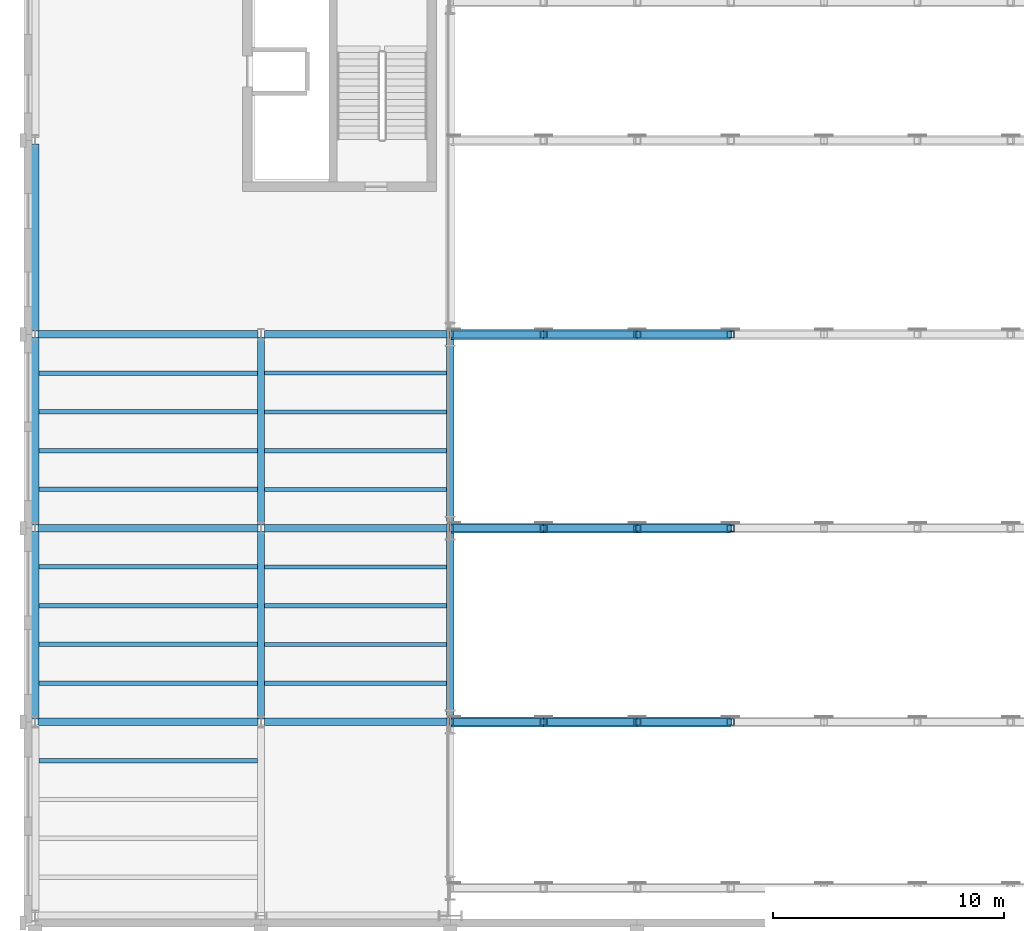
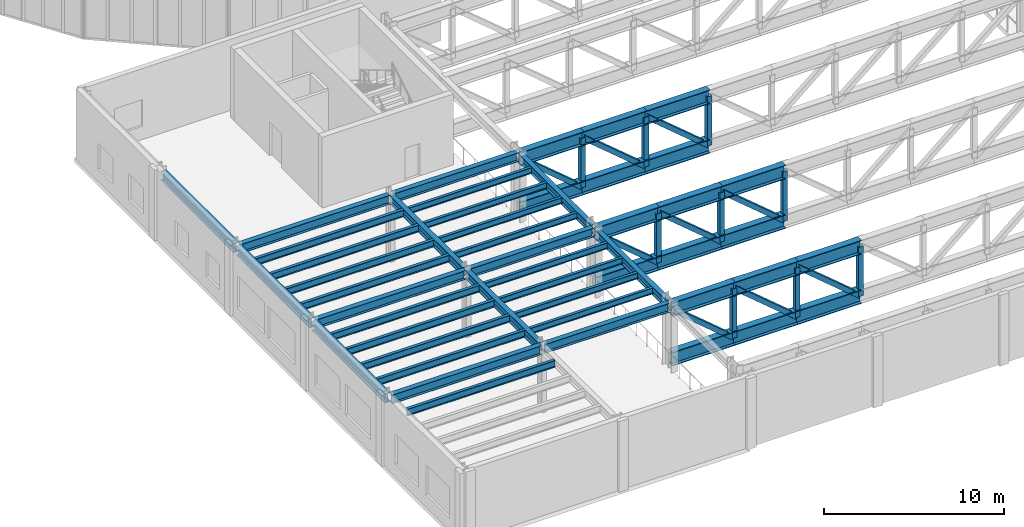
# One storey, part 19 of 91: 48 beams, 18 members.
"""IFC4 building model written with IfcOpenShell, lengths in metres."""

from ifc_helpers import new_model, si_unit, direction, frame, origin, origin_2d, place, context, subcontext, project, spatial, hollow_rectangle, i_section, extrude, material, material_profile, profile_set, type_object, element, save


model = new_model("IFC4")

# Units and contexts
model_context = context("Model", 3, precision=1e-05, world=origin(), true_north=direction((0.0, 1.0)))
body_context = subcontext(model_context, "Body", "Model", "MODEL_VIEW")
ifc_project = project(units=[si_unit("LENGTHUNIT", "METRE"), si_unit("AREAUNIT", "SQUARE_METRE"), si_unit("VOLUMEUNIT", "CUBIC_METRE"), si_unit("PLANEANGLEUNIT", "RADIAN"), si_unit("MASSUNIT", "GRAM", prefix="KILO")], contexts=[model_context])

# Site, building, storey
site_placement = place(None, origin())
site = spatial("IfcSite", under=ifc_project, at=site_placement, CompositionType="ELEMENT")
building_placement = place(site_placement, origin())
building = spatial("IfcBuilding", under=site, at=building_placement, Name="Sollismere Congress Hotel", CompositionType="ELEMENT")
storey_placement = place(building_placement, frame((0.0, 0.0, 10.800048828125)))
storey = spatial("IfcBuildingStorey", under=building, at=storey_placement, Name="L02", CompositionType="ELEMENT", Elevation=10.800048828125)

# Beams
ifc_material_1 = material(Name="Steel ASTM A992 Grade 50", Category="steel")
ifc_material_profile_1 = material_profile(ifc_material_1, i_section(OverallWidth=0.31494140625, OverallDepth=0.551025390625, WebThickness=0.01513671875, FlangeThickness=0.0244140625, at=origin_2d()), Name="W21X122")
ifc_profile_set_1 = profile_set([ifc_material_profile_1], Name="Steel ASTM A992 Grade 50")
beam_type_1 = type_object("IfcBeamType", Name="BM-G21H", PredefinedType="BEAM", material=ifc_profile_set_1)
beam_1_placement = place(storey_placement, frame((9.800048828125, 33.340087890625, 4.224365234375), z_axis=(0.0, 1.0, 0.0), x_axis=(-1.0, 0.0, 0.0)))
element("IfcBeam", 1, at=beam_1_placement, inside=storey, type_object=beam_type_1, Name="Beam BM-L02-2061", PredefinedType="BEAM", context=body_context, shape_type="SweptSolid", body=[
    extrude(i_section(OverallWidth=0.31494140625, OverallDepth=0.551025390625, WebThickness=0.01513671875, FlangeThickness=0.0244140625, at=origin_2d()), origin(), (0.0, 0.0, 1.0), 8.119873046875),
])
beam_2_placement = place(storey_placement, frame((9.800048828125, 41.739990234375, 4.224365234375), z_axis=(0.0, 1.0, 0.0), x_axis=(-1.0, 0.0, 0.0)))
element("IfcBeam", 2, at=beam_2_placement, inside=storey, type_object=beam_type_1, Name="Beam BM-L02-2062", PredefinedType="BEAM", context=body_context, shape_type="SweptSolid", body=[
    extrude(i_section(OverallWidth=0.31494140625, OverallDepth=0.551025390625, WebThickness=0.01513671875, FlangeThickness=0.0244140625, at=origin_2d()), origin(), (0.0, 0.0, 1.0), 8.1201171875),
])
beam_3_placement = place(storey_placement, frame((18.0, 33.340087890625, 4.224365234375), z_axis=(0.0, 1.0, 0.0), x_axis=(-1.0, 0.0, 0.0)))
element("IfcBeam", 3, at=beam_3_placement, inside=storey, type_object=beam_type_1, Name="Beam BM-L02-2064", PredefinedType="BEAM", context=body_context, shape_type="SweptSolid", body=[
    extrude(i_section(OverallWidth=0.31494140625, OverallDepth=0.551025390625, WebThickness=0.01513671875, FlangeThickness=0.0244140625, at=origin_2d()), origin(), (0.0, 0.0, 1.0), 8.119873046875),
])
beam_4_placement = place(storey_placement, frame((18.0, 41.739990234375, 4.224365234375), z_axis=(0.0, 1.0, 0.0), x_axis=(-1.0, 0.0, 0.0)))
element("IfcBeam", 4, at=beam_4_placement, inside=storey, type_object=beam_type_1, Name="Beam BM-L02-2065", PredefinedType="BEAM", context=body_context, shape_type="SweptSolid", body=[
    extrude(i_section(OverallWidth=0.31494140625, OverallDepth=0.551025390625, WebThickness=0.01513671875, FlangeThickness=0.0244140625, at=origin_2d()), origin(), (0.0, 0.0, 1.0), 8.1201171875),
])
ifc_material_profile_2 = material_profile(ifc_material_1, i_section(OverallWidth=0.324951171875, OverallDepth=0.612060546875, WebThickness=0.0126953125, FlangeThickness=0.01904296875, at=origin_2d()), Name="W24X104")
ifc_profile_set_2 = profile_set([ifc_material_profile_2], Name="Steel ASTM A992 Grade 50")
beam_type_2 = type_object("IfcBeamType", Name="BM-G24", PredefinedType="BEAM", material=ifc_profile_set_2)
beam_5_placement = place(storey_placement, frame((0.139892578125, 33.199951171875, 4.19384765625), z_axis=(1.0, 0.0, 0.0), x_axis=(0.0, 1.0, 0.0)))
element("IfcBeam", 5, at=beam_5_placement, inside=storey, type_object=beam_type_2, Name="Beam BM-L02-2009", PredefinedType="BEAM", context=body_context, shape_type="SweptSolid", body=[
    extrude(i_section(OverallWidth=0.324951171875, OverallDepth=0.612060546875, WebThickness=0.0126953125, FlangeThickness=0.01904296875, at=origin_2d()), origin(), (0.0, 0.0, 1.0), 9.52001953125),
])
beam_6_placement = place(storey_placement, frame((9.93994140625, 33.199951171875, 4.19384765625), z_axis=(1.0, 0.0, 0.0), x_axis=(0.0, 1.0, 0.0)))
element("IfcBeam", 6, at=beam_6_placement, inside=storey, type_object=beam_type_2, Name="Beam BM-L02-2010", PredefinedType="BEAM", context=body_context, shape_type="SweptSolid", body=[
    extrude(i_section(OverallWidth=0.324951171875, OverallDepth=0.612060546875, WebThickness=0.0126953125, FlangeThickness=0.01904296875, at=origin_2d()), origin(), (0.0, 0.0, 1.0), 7.920166015625),
])
beam_7_placement = place(storey_placement, frame((0.139892578125, 41.60009765625, 4.19384765625), z_axis=(1.0, 0.0, 0.0), x_axis=(0.0, 1.0, 0.0)))
element("IfcBeam", 7, at=beam_7_placement, inside=storey, type_object=beam_type_2, Name="Beam BM-L02-2014", PredefinedType="BEAM", context=body_context, shape_type="SweptSolid", body=[
    extrude(i_section(OverallWidth=0.324951171875, OverallDepth=0.612060546875, WebThickness=0.0126953125, FlangeThickness=0.01904296875, at=origin_2d()), origin(), (0.0, 0.0, 1.0), 9.52001953125),
])
beam_8_placement = place(storey_placement, frame((9.93994140625, 41.60009765625, 4.19384765625), z_axis=(1.0, 0.0, 0.0), x_axis=(0.0, 1.0, 0.0)))
element("IfcBeam", 8, at=beam_8_placement, inside=storey, type_object=beam_type_2, Name="Beam BM-L02-2015", PredefinedType="BEAM", context=body_context, shape_type="SweptSolid", body=[
    extrude(i_section(OverallWidth=0.324951171875, OverallDepth=0.612060546875, WebThickness=0.0126953125, FlangeThickness=0.01904296875, at=origin_2d()), origin(), (0.0, 0.0, 1.0), 7.920166015625),
])
beam_9_placement = place(storey_placement, frame((0.139892578125, 50.0, 4.19384765625), z_axis=(1.0, 0.0, 0.0), x_axis=(0.0, 1.0, 0.0)))
element("IfcBeam", 9, at=beam_9_placement, inside=storey, type_object=beam_type_2, Name="Beam BM-L02-2017", PredefinedType="BEAM", context=body_context, shape_type="SweptSolid", body=[
    extrude(i_section(OverallWidth=0.324951171875, OverallDepth=0.612060546875, WebThickness=0.0126953125, FlangeThickness=0.01904296875, at=origin_2d()), origin(), (0.0, 0.0, 1.0), 9.52001953125),
])
beam_10_placement = place(storey_placement, frame((9.93994140625, 50.0, 4.19384765625), z_axis=(1.0, 0.0, 0.0), x_axis=(0.0, 1.0, 0.0)))
element("IfcBeam", 10, at=beam_10_placement, inside=storey, type_object=beam_type_2, Name="Beam BM-L02-2018", PredefinedType="BEAM", context=body_context, shape_type="SweptSolid", body=[
    extrude(i_section(OverallWidth=0.324951171875, OverallDepth=0.612060546875, WebThickness=0.0126953125, FlangeThickness=0.01904296875, at=origin_2d()), origin(), (0.0, 0.0, 1.0), 7.920166015625),
])
ifc_material_profile_3 = material_profile(ifc_material_1, i_section(OverallWidth=0.180908203125, OverallDepth=0.4169921875, WebThickness=0.010986328125, FlangeThickness=0.018310546875, at=origin_2d()), Name="W16X57")
ifc_profile_set_3 = profile_set([ifc_material_profile_3], Name="Steel ASTM A992 Grade 50")
beam_type_3 = type_object("IfcBeamType", Name="BM-J16", PredefinedType="JOIST", material=ifc_profile_set_3)
for number, where, z_axis, x_axis, name in (
    (11, (9.95751953125, 34.8798828125, 4.29150390625), (1.0, 0.0, 0.0), (0.0, 1.0, 0.0), "Beam BM-L02-2150"),
    (12, (9.95751953125, 36.56005859375, 4.29150390625), (1.0, 0.0, 0.0), (0.0, 1.0, 0.0), "Beam BM-L02-2151"),
    (13, (9.95751953125, 38.239990234375, 4.29150390625), (1.0, 0.0, 0.0), (0.0, 1.0, 0.0), "Beam BM-L02-2152"),
    (14, (9.95751953125, 39.919921875, 4.29150390625), (1.0, 0.0, 0.0), (0.0, 1.0, 0.0), "Beam BM-L02-2153"),
    (15, (9.95751953125, 43.280029296875, 4.29150390625), (1.0, 0.0, 0.0), (0.0, 1.0, 0.0), "Beam BM-L02-2154"),
    (16, (9.95751953125, 44.9599609375, 4.29150390625), (1.0, 0.0, 0.0), (0.0, 1.0, 0.0), "Beam BM-L02-2155"),
    (17, (9.95751953125, 46.639892578125, 4.29150390625), (1.0, 0.0, 0.0), (0.0, 1.0, 0.0), "Beam BM-L02-2156"),
    (18, (9.95751953125, 48.320068359375, 4.29150390625), (1.0, 0.0, 0.0), (0.0, 1.0, 0.0), "Beam BM-L02-2157"),
):
    element("IfcBeam", number, at=place(storey_placement, frame(where, z_axis=z_axis, x_axis=x_axis)), inside=storey, type_object=beam_type_3, Name=name, PredefinedType="JOIST", context=body_context, shape_type="SweptSolid", body=[
        extrude(i_section(OverallWidth=0.180908203125, OverallDepth=0.4169921875, WebThickness=0.010986328125, FlangeThickness=0.018310546875, at=origin_2d()), origin(), (0.0, 0.0, 1.0), 7.885009765625),
    ])
ifc_material_profile_4 = material_profile(ifc_material_1, i_section(OverallWidth=0.193115234375, OverallDepth=0.467041015625, WebThickness=0.011474609375, FlangeThickness=0.01904296875, at=origin_2d()), Name="W18X65")
ifc_profile_set_4 = profile_set([ifc_material_profile_4], Name="Steel ASTM A992 Grade 50")
beam_type_4 = type_object("IfcBeamType", Name="BM-J18", PredefinedType="JOIST", material=ifc_profile_set_4)
for number, where, z_axis, x_axis, name in (
    (19, (0.1650390625, 31.52001953125, 4.266357421875), (1.0, 0.0, 0.0), (0.0, 1.0, 0.0), "Beam BM-L02-2141"),
    (20, (0.1650390625, 34.8798828125, 4.266357421875), (1.0, 0.0, 0.0), (0.0, 1.0, 0.0), "Beam BM-L02-2142"),
    (21, (0.1650390625, 36.56005859375, 4.266357421875), (1.0, 0.0, 0.0), (0.0, 1.0, 0.0), "Beam BM-L02-2143"),
    (22, (0.1650390625, 38.239990234375, 4.266357421875), (1.0, 0.0, 0.0), (0.0, 1.0, 0.0), "Beam BM-L02-2144"),
    (23, (0.1650390625, 39.919921875, 4.266357421875), (1.0, 0.0, 0.0), (0.0, 1.0, 0.0), "Beam BM-L02-2145"),
    (24, (0.1650390625, 43.280029296875, 4.266357421875), (1.0, 0.0, 0.0), (0.0, 1.0, 0.0), "Beam BM-L02-2146"),
    (25, (0.1650390625, 44.9599609375, 4.266357421875), (1.0, 0.0, 0.0), (0.0, 1.0, 0.0), "Beam BM-L02-2147"),
    (26, (0.1650390625, 46.639892578125, 4.266357421875), (1.0, 0.0, 0.0), (0.0, 1.0, 0.0), "Beam BM-L02-2148"),
    (27, (0.1650390625, 48.320068359375, 4.266357421875), (1.0, 0.0, 0.0), (0.0, 1.0, 0.0), "Beam BM-L02-2149"),
):
    element("IfcBeam", number, at=place(storey_placement, frame(where, z_axis=z_axis, x_axis=x_axis)), inside=storey, type_object=beam_type_4, Name=name, PredefinedType="JOIST", context=body_context, shape_type="SweptSolid", body=[
        extrude(i_section(OverallWidth=0.193115234375, OverallDepth=0.467041015625, WebThickness=0.011474609375, FlangeThickness=0.01904296875, at=origin_2d()), origin(), (0.0, 0.0, 1.0), 9.4775390625),
    ])
ifc_material_profile_5 = material_profile(ifc_material_1, i_section(OverallWidth=0.330078125, OverallDepth=0.635009765625, WebThickness=0.017822265625, FlangeThickness=0.031005859375, at=origin_2d()), Name="W24X162")
ifc_profile_set_5 = profile_set([ifc_material_profile_5], Name="Steel ASTM A992 Grade 50")
beam_type_5 = type_object("IfcBeamType", Name="BM-SP24E", PredefinedType="SPANDREL", material=ifc_profile_set_5)
beam_11_placement = place(storey_placement, frame((0.0, 33.340087890625, 4.182373046875), z_axis=(0.0, 1.0, 0.0), x_axis=(-1.0, 0.0, 0.0)))
element("IfcBeam", 28, at=beam_11_placement, inside=storey, type_object=beam_type_5, Name="Beam BM-L02-2056", PredefinedType="SPANDREL", context=body_context, shape_type="SweptSolid", body=[
    extrude(i_section(OverallWidth=0.330078125, OverallDepth=0.635009765625, WebThickness=0.017822265625, FlangeThickness=0.031005859375, at=origin_2d()), origin(), (0.0, 0.0, 1.0), 8.119873046875),
])
for number, where, z_axis, x_axis, name in (
    (29, (0.0, 41.739990234375, 4.182373046875), (0.0, 1.0, 0.0), (-1.0, 0.0, 0.0), "Beam BM-L02-2057"),
    (30, (0.0, 50.139892578125, 4.182373046875), (0.0, 1.0, 0.0), (-1.0, 0.0, 0.0), "Beam BM-L02-2058"),
):
    element("IfcBeam", number, at=place(storey_placement, frame(where, z_axis=z_axis, x_axis=x_axis)), inside=storey, type_object=beam_type_5, Name=name, PredefinedType="SPANDREL", context=body_context, shape_type="SweptSolid", body=[
        extrude(i_section(OverallWidth=0.330078125, OverallDepth=0.635009765625, WebThickness=0.017822265625, FlangeThickness=0.031005859375, at=origin_2d()), origin(), (0.0, 0.0, 1.0), 8.1201171875),
    ])
ifc_material_profile_6 = material_profile(ifc_material_1, i_section(OverallWidth=0.424072265625, OverallDepth=0.93994140625, WebThickness=0.02392578125, FlangeThickness=0.042724609375, at=origin_2d()), Name="W36X302")
ifc_profile_set_6 = profile_set([ifc_material_profile_6], Name="Steel ASTM A992 Grade 50")
beam_type_6 = type_object("IfcBeamType", Name="BM-TC36", PredefinedType="BEAM", material=ifc_profile_set_6)
for number, where, z_axis, x_axis, name in (
    (31, (18.0400390625, 33.199951171875, 4.030029296875), (1.0, 0.0, 0.0), (0.0, 1.0, 0.0), "Transfer truss chord BM-L02-4064"),
    (32, (18.0400390625, 33.199951171875, 0.679931640625), (1.0, 0.0, 0.0), (0.0, 1.0, 0.0), "Transfer truss chord BM-L02-4065"),
):
    element("IfcBeam", number, at=place(storey_placement, frame(where, z_axis=z_axis, x_axis=x_axis)), inside=storey, type_object=beam_type_6, Name=name, PredefinedType="BEAM", context=body_context, shape_type="SweptSolid", body=[
        extrude(i_section(OverallWidth=0.424072265625, OverallDepth=0.93994140625, WebThickness=0.02392578125, FlangeThickness=0.042724609375, at=origin_2d()), origin(), (0.0, 0.0, 1.0), 4.010009765625),
    ])
for number, where, z_axis, x_axis, name in (
    (33, (22.050048828125, 33.199951171875, 4.030029296875), (1.0, 0.0, 0.0), (0.0, 1.0, 0.0), "Transfer truss chord BM-L02-4066"),
    (34, (22.050048828125, 33.199951171875, 0.679931640625), (1.0, 0.0, 0.0), (0.0, 1.0, 0.0), "Transfer truss chord BM-L02-4067"),
):
    element("IfcBeam", number, at=place(storey_placement, frame(where, z_axis=z_axis, x_axis=x_axis)), inside=storey, type_object=beam_type_6, Name=name, PredefinedType="BEAM", context=body_context, shape_type="SweptSolid", body=[
        extrude(i_section(OverallWidth=0.424072265625, OverallDepth=0.93994140625, WebThickness=0.02392578125, FlangeThickness=0.042724609375, at=origin_2d()), origin(), (0.0, 0.0, 1.0), 4.050048828125),
    ])
for number, where, z_axis, x_axis, name in (
    (35, (26.10009765625, 33.199951171875, 4.030029296875), (1.0, 0.0, 0.0), (0.0, 1.0, 0.0), "Transfer truss chord BM-L02-4068"),
    (36, (26.10009765625, 33.199951171875, 0.679931640625), (1.0, 0.0, 0.0), (0.0, 1.0, 0.0), "Transfer truss chord BM-L02-4069"),
):
    element("IfcBeam", number, at=place(storey_placement, frame(where, z_axis=z_axis, x_axis=x_axis)), inside=storey, type_object=beam_type_6, Name=name, PredefinedType="BEAM", context=body_context, shape_type="SweptSolid", body=[
        extrude(i_section(OverallWidth=0.424072265625, OverallDepth=0.93994140625, WebThickness=0.02392578125, FlangeThickness=0.042724609375, at=origin_2d()), origin(), (0.0, 0.0, 1.0), 4.0498046875),
    ])
for number, where, z_axis, x_axis, name in (
    (37, (18.0400390625, 41.60009765625, 4.030029296875), (1.0, 0.0, 0.0), (0.0, 1.0, 0.0), "Transfer truss chord BM-L02-4080"),
    (38, (18.0400390625, 41.60009765625, 0.679931640625), (1.0, 0.0, 0.0), (0.0, 1.0, 0.0), "Transfer truss chord BM-L02-4081"),
):
    element("IfcBeam", number, at=place(storey_placement, frame(where, z_axis=z_axis, x_axis=x_axis)), inside=storey, type_object=beam_type_6, Name=name, PredefinedType="BEAM", context=body_context, shape_type="SweptSolid", body=[
        extrude(i_section(OverallWidth=0.424072265625, OverallDepth=0.93994140625, WebThickness=0.02392578125, FlangeThickness=0.042724609375, at=origin_2d()), origin(), (0.0, 0.0, 1.0), 4.010009765625),
    ])
for number, where, z_axis, x_axis, name in (
    (39, (22.050048828125, 41.60009765625, 4.030029296875), (1.0, 0.0, 0.0), (0.0, 1.0, 0.0), "Transfer truss chord BM-L02-4082"),
    (40, (22.050048828125, 41.60009765625, 0.679931640625), (1.0, 0.0, 0.0), (0.0, 1.0, 0.0), "Transfer truss chord BM-L02-4083"),
):
    element("IfcBeam", number, at=place(storey_placement, frame(where, z_axis=z_axis, x_axis=x_axis)), inside=storey, type_object=beam_type_6, Name=name, PredefinedType="BEAM", context=body_context, shape_type="SweptSolid", body=[
        extrude(i_section(OverallWidth=0.424072265625, OverallDepth=0.93994140625, WebThickness=0.02392578125, FlangeThickness=0.042724609375, at=origin_2d()), origin(), (0.0, 0.0, 1.0), 4.050048828125),
    ])
for number, where, z_axis, x_axis, name in (
    (41, (26.10009765625, 41.60009765625, 4.030029296875), (1.0, 0.0, 0.0), (0.0, 1.0, 0.0), "Transfer truss chord BM-L02-4084"),
    (42, (26.10009765625, 41.60009765625, 0.679931640625), (1.0, 0.0, 0.0), (0.0, 1.0, 0.0), "Transfer truss chord BM-L02-4085"),
):
    element("IfcBeam", number, at=place(storey_placement, frame(where, z_axis=z_axis, x_axis=x_axis)), inside=storey, type_object=beam_type_6, Name=name, PredefinedType="BEAM", context=body_context, shape_type="SweptSolid", body=[
        extrude(i_section(OverallWidth=0.424072265625, OverallDepth=0.93994140625, WebThickness=0.02392578125, FlangeThickness=0.042724609375, at=origin_2d()), origin(), (0.0, 0.0, 1.0), 4.0498046875),
    ])
for number, where, z_axis, x_axis, name in (
    (43, (18.0400390625, 50.0, 4.030029296875), (1.0, 0.0, 0.0), (0.0, 1.0, 0.0), "Transfer truss chord BM-L02-4096"),
    (44, (18.0400390625, 50.0, 0.679931640625), (1.0, 0.0, 0.0), (0.0, 1.0, 0.0), "Transfer truss chord BM-L02-4097"),
):
    element("IfcBeam", number, at=place(storey_placement, frame(where, z_axis=z_axis, x_axis=x_axis)), inside=storey, type_object=beam_type_6, Name=name, PredefinedType="BEAM", context=body_context, shape_type="SweptSolid", body=[
        extrude(i_section(OverallWidth=0.424072265625, OverallDepth=0.93994140625, WebThickness=0.02392578125, FlangeThickness=0.042724609375, at=origin_2d()), origin(), (0.0, 0.0, 1.0), 4.010009765625),
    ])
for number, where, z_axis, x_axis, name in (
    (45, (22.050048828125, 50.0, 4.030029296875), (1.0, 0.0, 0.0), (0.0, 1.0, 0.0), "Transfer truss chord BM-L02-4098"),
    (46, (22.050048828125, 50.0, 0.679931640625), (1.0, 0.0, 0.0), (0.0, 1.0, 0.0), "Transfer truss chord BM-L02-4099"),
):
    element("IfcBeam", number, at=place(storey_placement, frame(where, z_axis=z_axis, x_axis=x_axis)), inside=storey, type_object=beam_type_6, Name=name, PredefinedType="BEAM", context=body_context, shape_type="SweptSolid", body=[
        extrude(i_section(OverallWidth=0.424072265625, OverallDepth=0.93994140625, WebThickness=0.02392578125, FlangeThickness=0.042724609375, at=origin_2d()), origin(), (0.0, 0.0, 1.0), 4.050048828125),
    ])
for number, where, z_axis, x_axis, name in (
    (47, (26.10009765625, 50.0, 4.030029296875), (1.0, 0.0, 0.0), (0.0, 1.0, 0.0), "Transfer truss chord BM-L02-4100"),
    (48, (26.10009765625, 50.0, 0.679931640625), (1.0, 0.0, 0.0), (0.0, 1.0, 0.0), "Transfer truss chord BM-L02-4101"),
):
    element("IfcBeam", number, at=place(storey_placement, frame(where, z_axis=z_axis, x_axis=x_axis)), inside=storey, type_object=beam_type_6, Name=name, PredefinedType="BEAM", context=body_context, shape_type="SweptSolid", body=[
        extrude(i_section(OverallWidth=0.424072265625, OverallDepth=0.93994140625, WebThickness=0.02392578125, FlangeThickness=0.042724609375, at=origin_2d()), origin(), (0.0, 0.0, 1.0), 4.0498046875),
    ])

# Members
ifc_material_2 = material(Name="Steel ASTM A500 Grade C", Category="steel")
ifc_material_profile_7 = material_profile(ifc_material_2, hollow_rectangle(XDim=0.300048828125, YDim=0.300048828125, WallThickness=0.011962890625, at=origin_2d()), Name="HSS300X300X12")
ifc_profile_set_7 = profile_set([ifc_material_profile_7], Name="Steel ASTM A500 Grade C")
member_type_1 = type_object("IfcMemberType", Name="MB-BR300", PredefinedType="BRACE", material=ifc_profile_set_7)
member_1_placement = place(storey_placement, frame((18.0400390625, 33.199951171875, 4.030029296875), z_axis=(0.765049916178, 0.0, -0.643970982076), x_axis=(0.0, 1.0, 0.0)))
element("IfcMember", 49, at=member_1_placement, inside=storey, type_object=member_type_1, Name="MBT-21 diagonal brace", PredefinedType="BRACE", context=body_context, shape_type="SweptSolid", body=[
    extrude(hollow_rectangle(XDim=0.300048828125, YDim=0.300048828125, WallThickness=0.011962890625, at=origin_2d()), origin(), (0.0, 0.0, 1.0), 5.2021484375),
])
member_2_placement = place(storey_placement, frame((22.080078125, 33.199951171875, 4.030029296875), z_axis=(0.765846088126, 0.0, -0.643023925917), x_axis=(0.0, 1.0, 0.0)))
element("IfcMember", 50, at=member_2_placement, inside=storey, type_object=member_type_1, Name="MBT-22 diagonal brace", PredefinedType="BRACE", context=body_context, shape_type="SweptSolid", body=[
    extrude(hollow_rectangle(XDim=0.300048828125, YDim=0.300048828125, WallThickness=0.011962890625, at=origin_2d()), origin(), (0.0, 0.0, 1.0), 5.2099609375),
])
member_3_placement = place(storey_placement, frame((26.1298828125, 33.199951171875, 4.030029296875), z_axis=(0.765865463077, 0.0, -0.643000849507), x_axis=(0.0, 1.0, 0.0)))
element("IfcMember", 51, at=member_3_placement, inside=storey, type_object=member_type_1, Name="MBT-23 diagonal brace", PredefinedType="BRACE", context=body_context, shape_type="SweptSolid", body=[
    extrude(hollow_rectangle(XDim=0.300048828125, YDim=0.300048828125, WallThickness=0.011962890625, at=origin_2d()), origin(), (0.0, 0.0, 1.0), 5.210205078125),
])
member_4_placement = place(storey_placement, frame((18.0400390625, 41.60009765625, 4.030029296875), z_axis=(0.765049916178, 0.0, -0.643970982076), x_axis=(0.0, 1.0, 0.0)))
element("IfcMember", 52, at=member_4_placement, inside=storey, type_object=member_type_1, Name="MBT-31 diagonal brace", PredefinedType="BRACE", context=body_context, shape_type="SweptSolid", body=[
    extrude(hollow_rectangle(XDim=0.300048828125, YDim=0.300048828125, WallThickness=0.011962890625, at=origin_2d()), origin(), (0.0, 0.0, 1.0), 5.2021484375),
])
member_5_placement = place(storey_placement, frame((22.080078125, 41.60009765625, 4.030029296875), z_axis=(0.765846088126, 0.0, -0.643023925917), x_axis=(0.0, 1.0, 0.0)))
element("IfcMember", 53, at=member_5_placement, inside=storey, type_object=member_type_1, Name="MBT-32 diagonal brace", PredefinedType="BRACE", context=body_context, shape_type="SweptSolid", body=[
    extrude(hollow_rectangle(XDim=0.300048828125, YDim=0.300048828125, WallThickness=0.011962890625, at=origin_2d()), origin(), (0.0, 0.0, 1.0), 5.2099609375),
])
member_6_placement = place(storey_placement, frame((26.1298828125, 41.60009765625, 4.030029296875), z_axis=(0.765865463077, 0.0, -0.643000849507), x_axis=(0.0, 1.0, 0.0)))
element("IfcMember", 54, at=member_6_placement, inside=storey, type_object=member_type_1, Name="MBT-33 diagonal brace", PredefinedType="BRACE", context=body_context, shape_type="SweptSolid", body=[
    extrude(hollow_rectangle(XDim=0.300048828125, YDim=0.300048828125, WallThickness=0.011962890625, at=origin_2d()), origin(), (0.0, 0.0, 1.0), 5.210205078125),
])
member_7_placement = place(storey_placement, frame((18.0400390625, 50.0, 4.030029296875), z_axis=(0.765049916178, 0.0, -0.643970982076), x_axis=(0.0, 1.0, 0.0)))
element("IfcMember", 55, at=member_7_placement, inside=storey, type_object=member_type_1, Name="MBT-41 diagonal brace", PredefinedType="BRACE", context=body_context, shape_type="SweptSolid", body=[
    extrude(hollow_rectangle(XDim=0.300048828125, YDim=0.300048828125, WallThickness=0.011962890625, at=origin_2d()), origin(), (0.0, 0.0, 1.0), 5.2021484375),
])
member_8_placement = place(storey_placement, frame((22.080078125, 50.0, 4.030029296875), z_axis=(0.765846088126, 0.0, -0.643023925917), x_axis=(0.0, 1.0, 0.0)))
element("IfcMember", 56, at=member_8_placement, inside=storey, type_object=member_type_1, Name="MBT-42 diagonal brace", PredefinedType="BRACE", context=body_context, shape_type="SweptSolid", body=[
    extrude(hollow_rectangle(XDim=0.300048828125, YDim=0.300048828125, WallThickness=0.011962890625, at=origin_2d()), origin(), (0.0, 0.0, 1.0), 5.2099609375),
])
member_9_placement = place(storey_placement, frame((26.1298828125, 50.0, 4.030029296875), z_axis=(0.765865463077, 0.0, -0.643000849507), x_axis=(0.0, 1.0, 0.0)))
element("IfcMember", 57, at=member_9_placement, inside=storey, type_object=member_type_1, Name="MBT-43 diagonal brace", PredefinedType="BRACE", context=body_context, shape_type="SweptSolid", body=[
    extrude(hollow_rectangle(XDim=0.300048828125, YDim=0.300048828125, WallThickness=0.011962890625, at=origin_2d()), origin(), (0.0, 0.0, 1.0), 5.210205078125),
])
ifc_material_profile_8 = material_profile(ifc_material_2, hollow_rectangle(XDim=0.300048828125, YDim=0.300048828125, WallThickness=0.011962890625, at=origin_2d()), Name="HSS300X300X12")
ifc_profile_set_8 = profile_set([ifc_material_profile_8], Name="Steel ASTM A500 Grade C")
member_type_2 = type_object("IfcMemberType", Name="MB-ST300", PredefinedType="STRUT", material=ifc_profile_set_8)
for number, where, z_axis, x_axis, name in (
    (58, (22.050048828125, 33.199951171875, 0.679931640625), (0.0, 0.0, 1.0), (1.0, 0.0, 0.0), "MVT-21 transfer truss strut"),
    (59, (26.10009765625, 33.199951171875, 0.679931640625), (0.0, 0.0, 1.0), (1.0, 0.0, 0.0), "MVT-22 transfer truss strut"),
    (60, (30.14990234375, 33.199951171875, 0.679931640625), (0.0, 0.0, 1.0), (1.0, 0.0, 0.0), "MVT-23 transfer truss strut"),
    (61, (22.050048828125, 41.60009765625, 0.679931640625), (0.0, 0.0, 1.0), (1.0, 0.0, 0.0), "MVT-31 transfer truss strut"),
    (62, (26.10009765625, 41.60009765625, 0.679931640625), (0.0, 0.0, 1.0), (1.0, 0.0, 0.0), "MVT-32 transfer truss strut"),
    (63, (30.14990234375, 41.60009765625, 0.679931640625), (0.0, 0.0, 1.0), (1.0, 0.0, 0.0), "MVT-33 transfer truss strut"),
    (64, (22.050048828125, 50.0, 0.679931640625), (0.0, 0.0, 1.0), (1.0, 0.0, 0.0), "MVT-41 transfer truss strut"),
    (65, (26.10009765625, 50.0, 0.679931640625), (0.0, 0.0, 1.0), (1.0, 0.0, 0.0), "MVT-42 transfer truss strut"),
    (66, (30.14990234375, 50.0, 0.679931640625), (0.0, 0.0, 1.0), (1.0, 0.0, 0.0), "MVT-43 transfer truss strut"),
):
    element("IfcMember", number, at=place(storey_placement, frame(where, z_axis=z_axis, x_axis=x_axis)), inside=storey, type_object=member_type_2, Name=name, PredefinedType="STRUT", context=body_context, shape_type="SweptSolid", body=[
        extrude(hollow_rectangle(XDim=0.300048828125, YDim=0.300048828125, WallThickness=0.011962890625, at=origin_2d()), origin(), (0.0, 0.0, 1.0), 3.35009765625),
    ])

save(model, "model.ifc")
